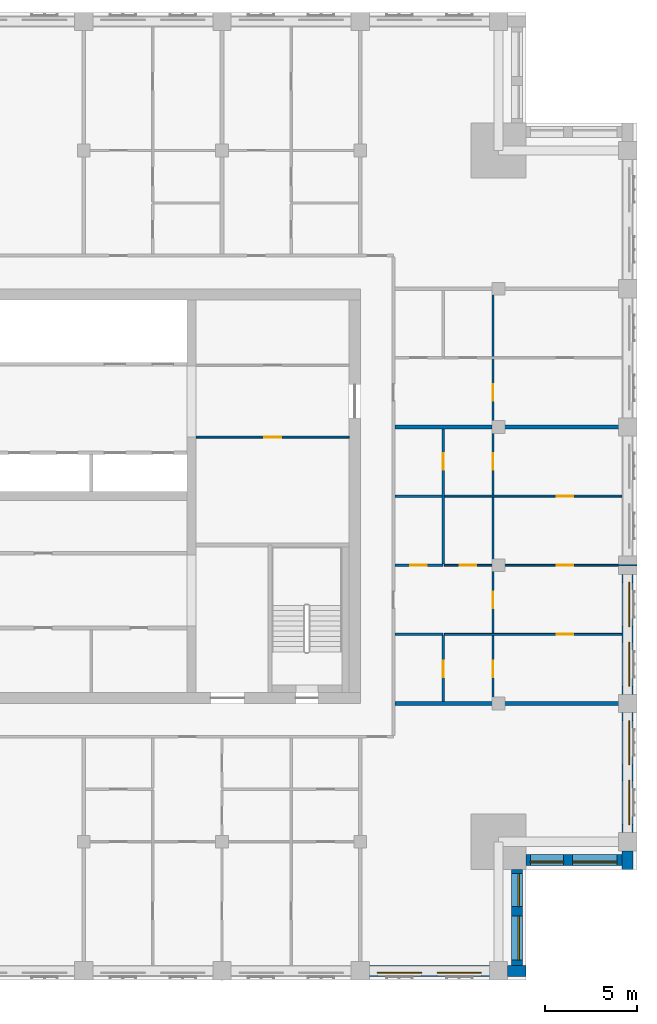
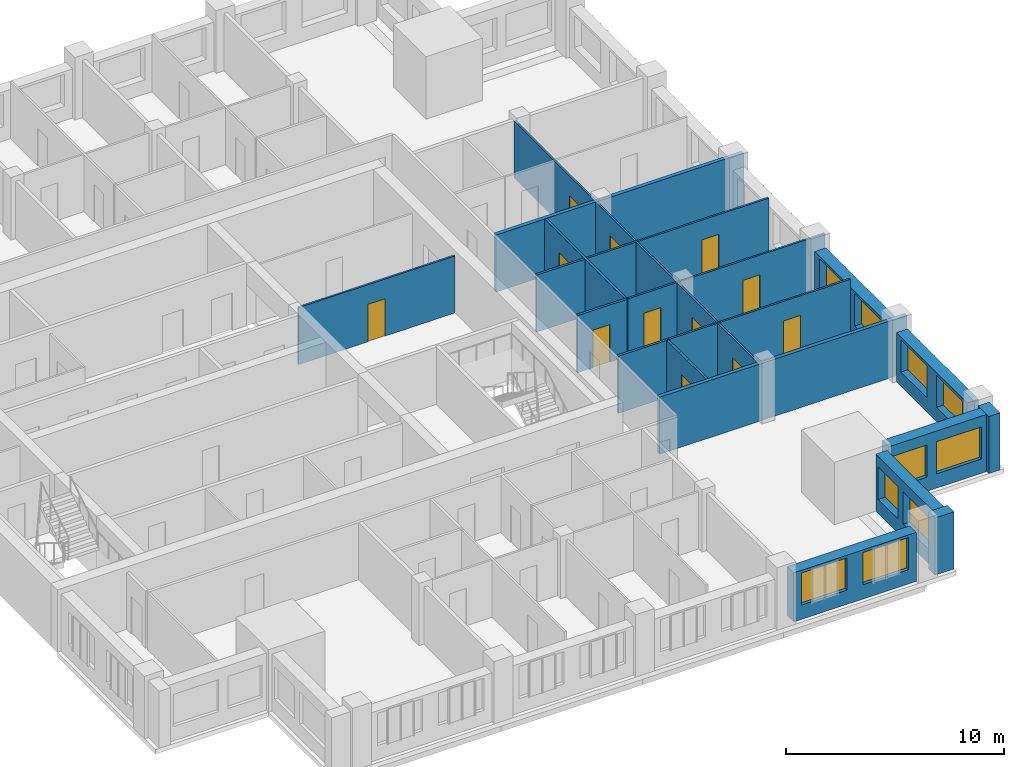
# One storey, part 5 of 10: 19 walls, 12 doors, 10 windows, 22 openings.
"""IFC4 building model written with IfcOpenShell, lengths in metres."""

from ifc_helpers import new_model, si_unit, direction, frame, frame_2d, origin, place, context, subcontext, project, spatial, rectangle, extrude, material, layer, layer_set, type_object, element, fill, save


model = new_model("IFC4")

# Units and contexts
model_context = context("Model", 3, precision=1e-05, world=origin(), true_north=direction((0.0, 1.0)))
body_context = subcontext(model_context, "Body", "Model", "MODEL_VIEW")
ifc_project = project(units=[si_unit("LENGTHUNIT", "METRE"), si_unit("AREAUNIT", "SQUARE_METRE"), si_unit("VOLUMEUNIT", "CUBIC_METRE"), si_unit("PLANEANGLEUNIT", "RADIAN"), si_unit("MASSUNIT", "GRAM", prefix="KILO")], contexts=[model_context])

# Site, building, storey
site_placement = place(None, origin())
site = spatial("IfcSite", under=ifc_project, at=site_placement, CompositionType="ELEMENT")
building_placement = place(site_placement, origin())
building = spatial("IfcBuilding", under=site, at=building_placement, Name="Tamorin Gate", CompositionType="ELEMENT")
storey_placement = place(building_placement, frame((0.0, 0.0, 283.699951171875)))
storey = spatial("IfcBuildingStorey", under=building, at=storey_placement, Name="L71", CompositionType="ELEMENT", Elevation=283.699951171875)

# Wall, openings, windows
ifc_material_1 = material(Name="Precast concrete C40/50", Category="concrete")
ifc_layer_1 = layer(ifc_material_1, 0.60009765625)
ifc_layer_set_1 = layer_set([ifc_layer_1], Name="Precast concrete C40/50")
wall_type_1 = type_object("IfcWallType", Name="Board-marked concrete facade panel 600", PredefinedType="SOLIDWALL", material=ifc_layer_set_1)
wall_1_placement = place(storey_placement, frame((60.5, 45.5, 0.0), z_axis=(0.0, 0.0, 1.0), x_axis=(1.0, 0.0, 0.0)))
wall_1 = element("IfcWall", 1, at=wall_1_placement, inside=storey, type_object=wall_type_1, Name="Facade panel", PredefinedType="SOLIDWALL", context=body_context, shape_type="SweptSolid", body=[
    extrude(rectangle(XDim=6.5, YDim=0.60009765625, at=frame_2d((3.25, 0.0))), origin(), (0.0, 0.0, 1.0), 2.75),
])
opening_1_placement = place(wall_1_placement, frame((0.425048828125, 0.0, 0.800048828125)))
opening_1 = element("IfcOpeningElement", 2, at=opening_1_placement, cuts=wall_1, Name="Opening WN1", PredefinedType="OPENING", context=body_context, shape_type="SweptSolid", body=[
    extrude(rectangle(XDim=2.39990234375, YDim=1.800048828125, at=frame_2d((1.199951171875, 0.89990234375))), frame((0.0, 0.31005859375, 0.0), z_axis=(0.0, -1.0, 0.0), x_axis=(1.0, 0.0, 0.0)), (0.0, 0.0, 1.0), 0.6201171875),
])
opening_2_placement = place(wall_1_placement, frame((3.675048828125, 0.0, 0.800048828125)))
opening_2 = element("IfcOpeningElement", 3, at=opening_2_placement, cuts=wall_1, Name="Opening WN1", PredefinedType="OPENING", context=body_context, shape_type="SweptSolid", body=[
    extrude(rectangle(XDim=2.39990234375, YDim=1.800048828125, at=frame_2d((1.199951171875, 0.89990234375))), frame((0.0, 0.31005859375, 0.0), z_axis=(0.0, -1.0, 0.0), x_axis=(1.0, 0.0, 0.0)), (0.0, 0.0, 1.0), 0.6201171875),
])
ifc_material_2 = material(Name="Clear glass in aluminium frame", Category="aluminium")
window_type_1 = type_object("IfcWindowType", Name="Deep-set window 2400x1800", PartitioningType="SINGLE_PANEL", PredefinedType="WINDOW", material=ifc_material_2)
window_1_placement = place(opening_1_placement, origin())
window_1 = element("IfcWindow", 4, at=window_1_placement, inside=storey, type_object=window_type_1, Name="Deep-set window", OverallHeight=1.800048828125, OverallWidth=2.39990234375, PartitioningType="SINGLE_PANEL", PredefinedType="WINDOW", context=body_context, shape_type="SweptSolid", body=[
    extrude(rectangle(XDim=2.39990234375, YDim=1.800048828125, at=frame_2d((1.199951171875, 0.89990234375))), frame((0.0, -0.070068359375, 0.0), z_axis=(0.0, -1.0, 0.0), x_axis=(1.0, 0.0, 0.0)), (0.0, 0.0, 1.0), 0.06005859375),
])
fill(opening_1, window_1)
window_2_placement = place(opening_2_placement, origin())
window_2 = element("IfcWindow", 5, at=window_2_placement, inside=storey, type_object=window_type_1, Name="Deep-set window", OverallHeight=1.800048828125, OverallWidth=2.39990234375, PartitioningType="SINGLE_PANEL", PredefinedType="WINDOW", context=body_context, shape_type="SweptSolid", body=[
    extrude(rectangle(XDim=2.39990234375, YDim=1.800048828125, at=frame_2d((1.199951171875, 0.89990234375))), frame((0.0, -0.070068359375, 0.0), z_axis=(0.0, -1.0, 0.0), x_axis=(1.0, 0.0, 0.0)), (0.0, 0.0, 1.0), 0.06005859375),
])
fill(opening_2, window_2)

# Wall
wall_2_placement = place(storey_placement, frame((68.0, 45.5, 0.0), z_axis=(0.0, 0.0, 1.0), x_axis=(1.0, 0.0, 0.0)))
element("IfcWall", 6, at=wall_2_placement, inside=storey, type_object=wall_type_1, Name="Facade panel", PredefinedType="SOLIDWALL", context=body_context, shape_type="SweptSolid", body=[
    extrude(rectangle(XDim=1.0, YDim=0.60009765625, at=frame_2d((0.5, 0.0))), origin(), (0.0, 0.0, 1.0), 3.199951171875),
])

# Wall, openings, windows
wall_3_placement = place(storey_placement, frame((68.5, 45.800048828125, 0.0), z_axis=(0.0, 0.0, 1.0), x_axis=(0.0, 1.0, 0.0)))
wall_3 = element("IfcWall", 7, at=wall_3_placement, inside=storey, type_object=wall_type_1, Name="Facade panel", PredefinedType="SOLIDWALL", context=body_context, shape_type="SweptSolid", body=[
    extrude(rectangle(XDim=5.199951171875, YDim=0.60009765625, at=frame_2d((2.60009765625, 0.0))), origin(), (0.0, 0.0, 1.0), 3.199951171875),
])
opening_3_placement = place(wall_3_placement, frame((0.27490234375, 0.0, 0.800048828125)))
opening_3 = element("IfcOpeningElement", 8, at=opening_3_placement, cuts=wall_3, Name="Opening WN1", PredefinedType="OPENING", context=body_context, shape_type="SweptSolid", body=[
    extrude(rectangle(XDim=2.39990234375, YDim=1.800048828125, at=frame_2d((1.199951171875, 0.89990234375))), frame((0.0, 0.31005859375, 0.0), z_axis=(0.0, -1.0, 0.0), x_axis=(1.0, 0.0, 0.0)), (0.0, 0.0, 1.0), 0.6201171875),
])
opening_4_placement = place(wall_3_placement, frame((3.175048828125, 0.0, 0.800048828125)))
opening_4 = element("IfcOpeningElement", 9, at=opening_4_placement, cuts=wall_3, Name="Opening WN2", PredefinedType="OPENING", context=body_context, shape_type="SweptSolid", body=[
    extrude(rectangle(XDim=1.800048828125, YDim=1.800048828125, at=frame_2d((0.89990234375, 0.89990234375))), frame((0.0, 0.31005859375, 0.0), z_axis=(0.0, -1.0, 0.0), x_axis=(1.0, 0.0, 0.0)), (0.0, 0.0, 1.0), 0.6201171875),
])
window_type_2 = type_object("IfcWindowType", Name="Deep-set window 1800x1800", PartitioningType="SINGLE_PANEL", PredefinedType="WINDOW", material=ifc_material_2)
window_3_placement = place(opening_4_placement, origin())
window_3 = element("IfcWindow", 10, at=window_3_placement, inside=storey, type_object=window_type_2, Name="Deep-set window", OverallHeight=1.800048828125, OverallWidth=1.800048828125, PartitioningType="SINGLE_PANEL", PredefinedType="WINDOW", context=body_context, shape_type="SweptSolid", body=[
    extrude(rectangle(XDim=1.800048828125, YDim=1.800048828125, at=frame_2d((0.89990234375, 0.89990234375))), frame((0.0, -0.070068359375, 0.0), z_axis=(0.0, -1.0, 0.0), x_axis=(1.0, 0.0, 0.0)), (0.0, 0.0, 1.0), 0.06005859375),
])
fill(opening_4, window_3)
window_4_placement = place(opening_3_placement, origin())
window_4 = element("IfcWindow", 11, at=window_4_placement, inside=storey, type_object=window_type_1, Name="Deep-set window", OverallHeight=1.800048828125, OverallWidth=2.39990234375, PartitioningType="SINGLE_PANEL", PredefinedType="WINDOW", context=body_context, shape_type="SweptSolid", body=[
    extrude(rectangle(XDim=2.39990234375, YDim=1.800048828125, at=frame_2d((1.199951171875, 0.89990234375))), frame((0.0, -0.070068359375, 0.0), z_axis=(0.0, -1.0, 0.0), x_axis=(1.0, 0.0, 0.0)), (0.0, 0.0, 1.0), 0.06005859375),
])
fill(opening_3, window_4)

wall_4_placement = place(storey_placement, frame((69.0, 51.5, 0.0), z_axis=(0.0, 0.0, 1.0), x_axis=(1.0, 0.0, 0.0)))
wall_4 = element("IfcWall", 12, at=wall_4_placement, inside=storey, type_object=wall_type_1, Name="Facade panel", PredefinedType="SOLIDWALL", context=body_context, shape_type="SweptSolid", body=[
    extrude(rectangle(XDim=5.199951171875, YDim=0.60009765625, at=frame_2d((2.60009765625, 0.0))), origin(), (0.0, 0.0, 1.0), 3.199951171875),
])
opening_5_placement = place(wall_4_placement, frame((0.22509765625, 0.0, 0.800048828125)))
opening_5 = element("IfcOpeningElement", 13, at=opening_5_placement, cuts=wall_4, Name="Opening WN2", PredefinedType="OPENING", context=body_context, shape_type="SweptSolid", body=[
    extrude(rectangle(XDim=1.800048828125, YDim=1.800048828125, at=frame_2d((0.89990234375, 0.89990234375))), frame((0.0, 0.31005859375, 0.0), z_axis=(0.0, -1.0, 0.0), x_axis=(1.0, 0.0, 0.0)), (0.0, 0.0, 1.0), 0.6201171875),
])
opening_6_placement = place(wall_4_placement, frame((2.52490234375, 0.0, 0.800048828125)))
opening_6 = element("IfcOpeningElement", 14, at=opening_6_placement, cuts=wall_4, Name="Opening WN1", PredefinedType="OPENING", context=body_context, shape_type="SweptSolid", body=[
    extrude(rectangle(XDim=2.39990234375, YDim=1.800048828125, at=frame_2d((1.199951171875, 0.89990234375))), frame((0.0, 0.31005859375, 0.0), z_axis=(0.0, -1.0, 0.0), x_axis=(1.0, 0.0, 0.0)), (0.0, 0.0, 1.0), 0.6201171875),
])
window_5_placement = place(opening_5_placement, origin())
window_5 = element("IfcWindow", 15, at=window_5_placement, inside=storey, type_object=window_type_2, Name="Deep-set window", OverallHeight=1.800048828125, OverallWidth=1.800048828125, PartitioningType="SINGLE_PANEL", PredefinedType="WINDOW", context=body_context, shape_type="SweptSolid", body=[
    extrude(rectangle(XDim=1.800048828125, YDim=1.800048828125, at=frame_2d((0.89990234375, 0.89990234375))), frame((0.0, -0.070068359375, 0.0), z_axis=(0.0, -1.0, 0.0), x_axis=(1.0, 0.0, 0.0)), (0.0, 0.0, 1.0), 0.06005859375),
])
fill(opening_5, window_5)
window_6_placement = place(opening_6_placement, origin())
window_6 = element("IfcWindow", 16, at=window_6_placement, inside=storey, type_object=window_type_1, Name="Deep-set window", OverallHeight=1.800048828125, OverallWidth=2.39990234375, PartitioningType="SINGLE_PANEL", PredefinedType="WINDOW", context=body_context, shape_type="SweptSolid", body=[
    extrude(rectangle(XDim=2.39990234375, YDim=1.800048828125, at=frame_2d((1.199951171875, 0.89990234375))), frame((0.0, -0.070068359375, 0.0), z_axis=(0.0, -1.0, 0.0), x_axis=(1.0, 0.0, 0.0)), (0.0, 0.0, 1.0), 0.06005859375),
])
fill(opening_6, window_6)

# Wall
wall_5_placement = place(storey_placement, frame((74.5, 51.0, 0.0), z_axis=(0.0, 0.0, 1.0), x_axis=(0.0, 1.0, 0.0)))
element("IfcWall", 17, at=wall_5_placement, inside=storey, type_object=wall_type_1, Name="Facade panel", PredefinedType="SOLIDWALL", context=body_context, shape_type="SweptSolid", body=[
    extrude(rectangle(XDim=1.0, YDim=0.60009765625, at=frame_2d((0.5, 0.0))), origin(), (0.0, 0.0, 1.0), 3.199951171875),
])

# Wall, openings, windows
wall_6_placement = place(storey_placement, frame((74.5, 53.0, 0.0), z_axis=(0.0, 0.0, 1.0), x_axis=(0.0, 1.0, 0.0)))
wall_6 = element("IfcWall", 18, at=wall_6_placement, inside=storey, type_object=wall_type_1, Name="Facade panel", PredefinedType="SOLIDWALL", context=body_context, shape_type="SweptSolid", body=[
    extrude(rectangle(XDim=6.5, YDim=0.60009765625, at=frame_2d((3.25, 0.0))), origin(), (0.0, 0.0, 1.0), 2.75),
])
opening_7_placement = place(wall_6_placement, frame((0.425048828125, 0.0, 0.800048828125)))
opening_7 = element("IfcOpeningElement", 19, at=opening_7_placement, cuts=wall_6, Name="Opening WN1", PredefinedType="OPENING", context=body_context, shape_type="SweptSolid", body=[
    extrude(rectangle(XDim=2.39990234375, YDim=1.800048828125, at=frame_2d((1.199951171875, 0.89990234375))), frame((0.0, 0.31005859375, 0.0), z_axis=(0.0, -1.0, 0.0), x_axis=(1.0, 0.0, 0.0)), (0.0, 0.0, 1.0), 0.6201171875),
])
opening_8_placement = place(wall_6_placement, frame((3.675048828125, 0.0, 0.800048828125)))
opening_8 = element("IfcOpeningElement", 20, at=opening_8_placement, cuts=wall_6, Name="Opening WN1", PredefinedType="OPENING", context=body_context, shape_type="SweptSolid", body=[
    extrude(rectangle(XDim=2.39990234375, YDim=1.800048828125, at=frame_2d((1.199951171875, 0.89990234375))), frame((0.0, 0.31005859375, 0.0), z_axis=(0.0, -1.0, 0.0), x_axis=(1.0, 0.0, 0.0)), (0.0, 0.0, 1.0), 0.6201171875),
])
window_7_placement = place(opening_7_placement, origin())
window_7 = element("IfcWindow", 21, at=window_7_placement, inside=storey, type_object=window_type_1, Name="Deep-set window", OverallHeight=1.800048828125, OverallWidth=2.39990234375, PartitioningType="SINGLE_PANEL", PredefinedType="WINDOW", context=body_context, shape_type="SweptSolid", body=[
    extrude(rectangle(XDim=2.39990234375, YDim=1.800048828125, at=frame_2d((1.199951171875, 0.89990234375))), frame((0.0, -0.070068359375, 0.0), z_axis=(0.0, -1.0, 0.0), x_axis=(1.0, 0.0, 0.0)), (0.0, 0.0, 1.0), 0.06005859375),
])
fill(opening_7, window_7)
window_8_placement = place(opening_8_placement, origin())
window_8 = element("IfcWindow", 22, at=window_8_placement, inside=storey, type_object=window_type_1, Name="Deep-set window", OverallHeight=1.800048828125, OverallWidth=2.39990234375, PartitioningType="SINGLE_PANEL", PredefinedType="WINDOW", context=body_context, shape_type="SweptSolid", body=[
    extrude(rectangle(XDim=2.39990234375, YDim=1.800048828125, at=frame_2d((1.199951171875, 0.89990234375))), frame((0.0, -0.070068359375, 0.0), z_axis=(0.0, -1.0, 0.0), x_axis=(1.0, 0.0, 0.0)), (0.0, 0.0, 1.0), 0.06005859375),
])
fill(opening_8, window_8)

wall_7_placement = place(storey_placement, frame((74.5, 60.5, 0.0), z_axis=(0.0, 0.0, 1.0), x_axis=(0.0, 1.0, 0.0)))
wall_7 = element("IfcWall", 23, at=wall_7_placement, inside=storey, type_object=wall_type_1, Name="Facade panel", PredefinedType="SOLIDWALL", context=body_context, shape_type="SweptSolid", body=[
    extrude(rectangle(XDim=6.5, YDim=0.60009765625, at=frame_2d((3.25, 0.0))), origin(), (0.0, 0.0, 1.0), 2.75),
])
opening_9_placement = place(wall_7_placement, frame((0.425048828125, 0.0, 0.800048828125)))
opening_9 = element("IfcOpeningElement", 24, at=opening_9_placement, cuts=wall_7, Name="Opening WN1", PredefinedType="OPENING", context=body_context, shape_type="SweptSolid", body=[
    extrude(rectangle(XDim=2.39990234375, YDim=1.800048828125, at=frame_2d((1.199951171875, 0.89990234375))), frame((0.0, 0.31005859375, 0.0), z_axis=(0.0, -1.0, 0.0), x_axis=(1.0, 0.0, 0.0)), (0.0, 0.0, 1.0), 0.6201171875),
])
opening_10_placement = place(wall_7_placement, frame((3.675048828125, 0.0, 0.800048828125)))
opening_10 = element("IfcOpeningElement", 25, at=opening_10_placement, cuts=wall_7, Name="Opening WN1", PredefinedType="OPENING", context=body_context, shape_type="SweptSolid", body=[
    extrude(rectangle(XDim=2.39990234375, YDim=1.800048828125, at=frame_2d((1.199951171875, 0.89990234375))), frame((0.0, 0.31005859375, 0.0), z_axis=(0.0, -1.0, 0.0), x_axis=(1.0, 0.0, 0.0)), (0.0, 0.0, 1.0), 0.6201171875),
])
window_9_placement = place(opening_9_placement, origin())
window_9 = element("IfcWindow", 26, at=window_9_placement, inside=storey, type_object=window_type_1, Name="Deep-set window", OverallHeight=1.800048828125, OverallWidth=2.39990234375, PartitioningType="SINGLE_PANEL", PredefinedType="WINDOW", context=body_context, shape_type="SweptSolid", body=[
    extrude(rectangle(XDim=2.39990234375, YDim=1.800048828125, at=frame_2d((1.199951171875, 0.89990234375))), frame((0.0, -0.070068359375, 0.0), z_axis=(0.0, -1.0, 0.0), x_axis=(1.0, 0.0, 0.0)), (0.0, 0.0, 1.0), 0.06005859375),
])
fill(opening_9, window_9)
window_10_placement = place(opening_10_placement, origin())
window_10 = element("IfcWindow", 27, at=window_10_placement, inside=storey, type_object=window_type_1, Name="Deep-set window", OverallHeight=1.800048828125, OverallWidth=2.39990234375, PartitioningType="SINGLE_PANEL", PredefinedType="WINDOW", context=body_context, shape_type="SweptSolid", body=[
    extrude(rectangle(XDim=2.39990234375, YDim=1.800048828125, at=frame_2d((1.199951171875, 0.89990234375))), frame((0.0, -0.070068359375, 0.0), z_axis=(0.0, -1.0, 0.0), x_axis=(1.0, 0.0, 0.0)), (0.0, 0.0, 1.0), 0.06005859375),
])
fill(opening_10, window_10)

# Walls
ifc_material_3 = material(Name="Gypsum board partition")
ifc_layer_2 = layer(ifc_material_3, 0.199951171875)
ifc_layer_set_2 = layer_set([ifc_layer_2], Name="Demising wall 200")
wall_type_2 = type_object("IfcWallType", Name="Demising wall 200", PredefinedType="PARTITIONING", material=ifc_layer_set_2)
for number, where, z_axis, x_axis, name in (
    (28, (61.875, 60.0, 0.0), (0.0, 0.0, 1.0), (1.0, 0.0, 0.0), "Demising wall 200"),
    (29, (61.875, 75.0, 0.0), (0.0, 0.0, 1.0), (1.0, 0.0, 0.0), "Demising wall 200"),
):
    element("IfcWall", number, at=place(storey_placement, frame(where, z_axis=z_axis, x_axis=x_axis)), inside=storey, type_object=wall_type_2, Name=name, PredefinedType="PARTITIONING", context=body_context, shape_type="SweptSolid", body=[
        extrude(rectangle(XDim=13.125, YDim=0.199951171875, at=frame_2d((6.5625, 0.0))), origin(), (0.0, 0.0, 1.0), 3.199951171875),
    ])

# Wall, opening, door
ifc_layer_3 = layer(ifc_material_3, 0.10009765625)
ifc_layer_set_3 = layer_set([ifc_layer_3], Name="Room partition 100")
wall_type_3 = type_object("IfcWallType", Name="Room partition 100", PredefinedType="PARTITIONING", material=ifc_layer_set_3)
wall_8_placement = place(storey_placement, frame((64.5625, 63.75, 0.0), z_axis=(0.0, 0.0, 1.0), x_axis=(1.0, 0.0, 0.0)))
wall_8 = element("IfcWall", 30, at=wall_8_placement, inside=storey, type_object=wall_type_3, Name="Room partition 100", PredefinedType="PARTITIONING", context=body_context, shape_type="SweptSolid", body=[
    extrude(rectangle(XDim=9.62744140625, YDim=0.10009765625, at=frame_2d((4.813720703125, 0.0))), origin(), (0.0, 0.0, 1.0), 3.199951171875),
])
opening_11_placement = place(wall_8_placement, frame((6.08740234375, 0.0, 0.0)))
opening_11 = element("IfcOpeningElement", 31, at=opening_11_placement, cuts=wall_8, Name="Opening DR10036", PredefinedType="OPENING", context=body_context, shape_type="SweptSolid", body=[
    extrude(rectangle(XDim=0.89990234375, YDim=2.10009765625, at=frame_2d((0.449951171875, 1.050048828125))), frame((0.0, 0.06005859375, 0.0), z_axis=(0.0, -1.0, 0.0), x_axis=(1.0, 0.0, 0.0)), (0.0, 0.0, 1.0), 0.1201171875),
])
ifc_material_4 = material(Name="Timber door leaf", Category="wood")
door_type_1 = type_object("IfcDoorType", Name="Door 900 x 2100", OperationType="NOTDEFINED", PredefinedType="DOOR", material=ifc_material_4)
door_1_placement = place(opening_11_placement, origin())
door_1 = element("IfcDoor", 32, at=door_1_placement, inside=storey, type_object=door_type_1, Name="Door DR10036", OperationType="SINGLE_SWING_RIGHT", OverallHeight=2.10009765625, OverallWidth=0.89990234375, PredefinedType="DOOR", context=body_context, shape_type="SweptSolid", body=[
    extrude(rectangle(XDim=0.89990234375, YDim=2.10009765625, at=frame_2d((0.449951171875, 1.050048828125))), frame((0.0, 0.02490234375, 0.0), z_axis=(0.0, -1.0, 0.0), x_axis=(1.0, 0.0, 0.0)), (0.0, 0.0, 1.0), 0.050048828125),
])
fill(opening_11, door_1)

# Wall, openings, doors
wall_9_placement = place(storey_placement, frame((64.5625, 67.5, 0.0), z_axis=(0.0, 0.0, 1.0), x_axis=(1.0, 0.0, 0.0)))
wall_9 = element("IfcWall", 33, at=wall_9_placement, inside=storey, type_object=wall_type_3, Name="Room partition 100", PredefinedType="PARTITIONING", context=body_context, shape_type="SweptSolid", body=[
    extrude(rectangle(XDim=10.4375, YDim=0.10009765625, at=frame_2d((5.21875, 0.0))), origin(), (0.0, 0.0, 1.0), 3.199951171875),
])
opening_12_placement = place(wall_9_placement, frame((0.83740234375, 0.0, 0.0)))
opening_12 = element("IfcOpeningElement", 34, at=opening_12_placement, cuts=wall_9, Name="Opening DR10032", PredefinedType="OPENING", context=body_context, shape_type="SweptSolid", body=[
    extrude(rectangle(XDim=0.89990234375, YDim=2.10009765625, at=frame_2d((0.449951171875, 1.050048828125))), frame((0.0, 0.06005859375, 0.0), z_axis=(0.0, -1.0, 0.0), x_axis=(1.0, 0.0, 0.0)), (0.0, 0.0, 1.0), 0.1201171875),
])
opening_13_placement = place(wall_9_placement, frame((6.08740234375, 0.0, 0.0)))
opening_13 = element("IfcOpeningElement", 35, at=opening_13_placement, cuts=wall_9, Name="Opening DR10037", PredefinedType="OPENING", context=body_context, shape_type="SweptSolid", body=[
    extrude(rectangle(XDim=0.89990234375, YDim=2.10009765625, at=frame_2d((0.449951171875, 1.050048828125))), frame((0.0, 0.06005859375, 0.0), z_axis=(0.0, -1.0, 0.0), x_axis=(1.0, 0.0, 0.0)), (0.0, 0.0, 1.0), 0.1201171875),
])
door_2_placement = place(opening_12_placement, origin())
door_2 = element("IfcDoor", 36, at=door_2_placement, inside=storey, type_object=door_type_1, Name="Door DR10032", OperationType="SINGLE_SWING_LEFT", OverallHeight=2.10009765625, OverallWidth=0.89990234375, PredefinedType="DOOR", context=body_context, shape_type="SweptSolid", body=[
    extrude(rectangle(XDim=0.89990234375, YDim=2.10009765625, at=frame_2d((0.449951171875, 1.050048828125))), frame((0.0, 0.02490234375, 0.0), z_axis=(0.0, -1.0, 0.0), x_axis=(1.0, 0.0, 0.0)), (0.0, 0.0, 1.0), 0.050048828125),
])
fill(opening_12, door_2)
door_3_placement = place(opening_13_placement, origin())
door_3 = element("IfcDoor", 37, at=door_3_placement, inside=storey, type_object=door_type_1, Name="Door DR10037", OperationType="SINGLE_SWING_RIGHT", OverallHeight=2.10009765625, OverallWidth=0.89990234375, PredefinedType="DOOR", context=body_context, shape_type="SweptSolid", body=[
    extrude(rectangle(XDim=0.89990234375, YDim=2.10009765625, at=frame_2d((0.449951171875, 1.050048828125))), frame((0.0, 0.02490234375, 0.0), z_axis=(0.0, -1.0, 0.0), x_axis=(1.0, 0.0, 0.0)), (0.0, 0.0, 1.0), 0.050048828125),
])
fill(opening_13, door_3)

# Wall, opening, door
wall_10_placement = place(storey_placement, frame((64.5625, 71.25, 0.0), z_axis=(0.0, 0.0, 1.0), x_axis=(1.0, 0.0, 0.0)))
wall_10 = element("IfcWall", 38, at=wall_10_placement, inside=storey, type_object=wall_type_3, Name="Room partition 100", PredefinedType="PARTITIONING", context=body_context, shape_type="SweptSolid", body=[
    extrude(rectangle(XDim=9.62744140625, YDim=0.10009765625, at=frame_2d((4.813720703125, 0.0))), origin(), (0.0, 0.0, 1.0), 3.199951171875),
])
opening_14_placement = place(wall_10_placement, frame((6.08740234375, 0.0, 0.0)))
opening_14 = element("IfcOpeningElement", 39, at=opening_14_placement, cuts=wall_10, Name="Opening DR10038", PredefinedType="OPENING", context=body_context, shape_type="SweptSolid", body=[
    extrude(rectangle(XDim=0.89990234375, YDim=2.10009765625, at=frame_2d((0.449951171875, 1.050048828125))), frame((0.0, 0.06005859375, 0.0), z_axis=(0.0, -1.0, 0.0), x_axis=(1.0, 0.0, 0.0)), (0.0, 0.0, 1.0), 0.1201171875),
])
door_4_placement = place(opening_14_placement, origin())
door_4 = element("IfcDoor", 40, at=door_4_placement, inside=storey, type_object=door_type_1, Name="Door DR10038", OperationType="SINGLE_SWING_RIGHT", OverallHeight=2.10009765625, OverallWidth=0.89990234375, PredefinedType="DOOR", context=body_context, shape_type="SweptSolid", body=[
    extrude(rectangle(XDim=0.89990234375, YDim=2.10009765625, at=frame_2d((0.449951171875, 1.050048828125))), frame((0.0, 0.02490234375, 0.0), z_axis=(0.0, -1.0, 0.0), x_axis=(1.0, 0.0, 0.0)), (0.0, 0.0, 1.0), 0.050048828125),
])
fill(opening_14, door_4)

# Wall, openings, doors
wall_11_placement = place(storey_placement, frame((67.199951171875, 60.10009765625, 0.0), z_axis=(0.0, 0.0, 1.0), x_axis=(0.0, 1.0, 0.0)))
wall_11 = element("IfcWall", 41, at=wall_11_placement, inside=storey, type_object=wall_type_3, Name="Room partition 100", PredefinedType="PARTITIONING", context=body_context, shape_type="SweptSolid", body=[
    extrude(rectangle(XDim=22.2998046875, YDim=0.10009765625, at=frame_2d((11.14990234375, 0.0))), origin(), (0.0, 0.0, 1.0), 3.199951171875),
])
opening_15_placement = place(wall_11_placement, frame((1.324951171875, 0.0, 0.0)))
opening_15 = element("IfcOpeningElement", 42, at=opening_15_placement, cuts=wall_11, Name="Opening DR10028", PredefinedType="OPENING", context=body_context, shape_type="SweptSolid", body=[
    extrude(rectangle(XDim=0.89990234375, YDim=2.10009765625, at=frame_2d((0.449951171875, 1.050048828125))), frame((0.0, 0.06005859375, 0.0), z_axis=(0.0, -1.0, 0.0), x_axis=(1.0, 0.0, 0.0)), (0.0, 0.0, 1.0), 0.1201171875),
])
opening_16_placement = place(wall_11_placement, frame((5.074951171875, 0.0, 0.0)))
opening_16 = element("IfcOpeningElement", 43, at=opening_16_placement, cuts=wall_11, Name="Opening DR10031", PredefinedType="OPENING", context=body_context, shape_type="SweptSolid", body=[
    extrude(rectangle(XDim=0.89990234375, YDim=2.10009765625, at=frame_2d((0.449951171875, 1.050048828125))), frame((0.0, 0.06005859375, 0.0), z_axis=(0.0, -1.0, 0.0), x_axis=(1.0, 0.0, 0.0)), (0.0, 0.0, 1.0), 0.1201171875),
])
opening_17_placement = place(wall_11_placement, frame((12.574951171875, 0.0, 0.0)))
opening_17 = element("IfcOpeningElement", 44, at=opening_17_placement, cuts=wall_11, Name="Opening DR10034", PredefinedType="OPENING", context=body_context, shape_type="SweptSolid", body=[
    extrude(rectangle(XDim=0.89990234375, YDim=2.10009765625, at=frame_2d((0.449951171875, 1.050048828125))), frame((0.0, 0.06005859375, 0.0), z_axis=(0.0, -1.0, 0.0), x_axis=(1.0, 0.0, 0.0)), (0.0, 0.0, 1.0), 0.1201171875),
])
opening_18_placement = place(wall_11_placement, frame((16.324951171875, 0.0, 0.0)))
opening_18 = element("IfcOpeningElement", 45, at=opening_18_placement, cuts=wall_11, Name="Opening DR10040", PredefinedType="OPENING", context=body_context, shape_type="SweptSolid", body=[
    extrude(rectangle(XDim=0.89990234375, YDim=2.10009765625, at=frame_2d((0.449951171875, 1.050048828125))), frame((0.0, 0.06005859375, 0.0), z_axis=(0.0, -1.0, 0.0), x_axis=(1.0, 0.0, 0.0)), (0.0, 0.0, 1.0), 0.1201171875),
])
door_5_placement = place(opening_15_placement, origin())
door_5 = element("IfcDoor", 46, at=door_5_placement, inside=storey, type_object=door_type_1, Name="Door DR10028", OperationType="SINGLE_SWING_LEFT", OverallHeight=2.10009765625, OverallWidth=0.89990234375, PredefinedType="DOOR", context=body_context, shape_type="SweptSolid", body=[
    extrude(rectangle(XDim=0.89990234375, YDim=2.10009765625, at=frame_2d((0.449951171875, 1.050048828125))), frame((0.0, 0.02490234375, 0.0), z_axis=(0.0, -1.0, 0.0), x_axis=(1.0, 0.0, 0.0)), (0.0, 0.0, 1.0), 0.050048828125),
])
fill(opening_15, door_5)
door_6_placement = place(opening_16_placement, origin())
door_6 = element("IfcDoor", 47, at=door_6_placement, inside=storey, type_object=door_type_1, Name="Door DR10031", OperationType="SINGLE_SWING_LEFT", OverallHeight=2.10009765625, OverallWidth=0.89990234375, PredefinedType="DOOR", context=body_context, shape_type="SweptSolid", body=[
    extrude(rectangle(XDim=0.89990234375, YDim=2.10009765625, at=frame_2d((0.449951171875, 1.050048828125))), frame((0.0, 0.02490234375, 0.0), z_axis=(0.0, -1.0, 0.0), x_axis=(1.0, 0.0, 0.0)), (0.0, 0.0, 1.0), 0.050048828125),
])
fill(opening_16, door_6)
door_7_placement = place(opening_17_placement, origin())
door_7 = element("IfcDoor", 48, at=door_7_placement, inside=storey, type_object=door_type_1, Name="Door DR10034", OperationType="SINGLE_SWING_LEFT", OverallHeight=2.10009765625, OverallWidth=0.89990234375, PredefinedType="DOOR", context=body_context, shape_type="SweptSolid", body=[
    extrude(rectangle(XDim=0.89990234375, YDim=2.10009765625, at=frame_2d((0.449951171875, 1.050048828125))), frame((0.0, 0.02490234375, 0.0), z_axis=(0.0, -1.0, 0.0), x_axis=(1.0, 0.0, 0.0)), (0.0, 0.0, 1.0), 0.050048828125),
])
fill(opening_17, door_7)
door_8_placement = place(opening_18_placement, origin())
door_8 = element("IfcDoor", 49, at=door_8_placement, inside=storey, type_object=door_type_1, Name="Door DR10040", OperationType="SINGLE_SWING_LEFT", OverallHeight=2.10009765625, OverallWidth=0.89990234375, PredefinedType="DOOR", context=body_context, shape_type="SweptSolid", body=[
    extrude(rectangle(XDim=0.89990234375, YDim=2.10009765625, at=frame_2d((0.449951171875, 1.050048828125))), frame((0.0, 0.02490234375, 0.0), z_axis=(0.0, -1.0, 0.0), x_axis=(1.0, 0.0, 0.0)), (0.0, 0.0, 1.0), 0.050048828125),
])
fill(opening_18, door_8)

# Wall, opening, door
ifc_layer_4 = layer(ifc_material_3, 0.10009765625)
ifc_layer_set_4 = layer_set([ifc_layer_4], Name="Service room partition 100 EI 60")
wall_type_4 = type_object("IfcWallType", Name="Service room partition 100 EI 60", PredefinedType="PARTITIONING", material=ifc_layer_set_4)
wall_12_placement = place(storey_placement, frame((51.10009765625, 74.449951171875, 0.0), z_axis=(0.0, 0.0, 1.0), x_axis=(1.0, 0.0, 0.0)))
wall_12 = element("IfcWall", 50, at=wall_12_placement, inside=storey, type_object=wall_type_4, Name="Service room wall", PredefinedType="PARTITIONING", context=body_context, shape_type="SweptSolid", body=[
    extrude(rectangle(XDim=8.2998046875, YDim=0.10009765625, at=frame_2d((4.14990234375, 0.0))), origin(), (0.0, 0.0, 1.0), 3.199951171875),
])
opening_19_placement = place(wall_12_placement, frame((3.699951171875, 0.0, 0.0)))
opening_19 = element("IfcOpeningElement", 51, at=opening_19_placement, cuts=wall_12, Name="Opening DR1", PredefinedType="OPENING", context=body_context, shape_type="SweptSolid", body=[
    extrude(rectangle(XDim=0.89990234375, YDim=2.10009765625, at=frame_2d((0.449951171875, 1.050048828125))), frame((0.0, 0.06005859375, 0.0), z_axis=(0.0, -1.0, 0.0), x_axis=(1.0, 0.0, 0.0)), (0.0, 0.0, 1.0), 0.1201171875),
])
ifc_material_5 = material(Name="Steel fire door", Category="steel")
door_type_2 = type_object("IfcDoorType", Name="Riser access door 900 x 2100 EI 120", OperationType="SINGLE_SWING_LEFT", PredefinedType="DOOR", material=ifc_material_5)
door_9_placement = place(opening_19_placement, origin())
door_9 = element("IfcDoor", 52, at=door_9_placement, inside=storey, type_object=door_type_2, Name="Duct riser door", OperationType="SINGLE_SWING_LEFT", OverallHeight=2.10009765625, OverallWidth=0.89990234375, PredefinedType="DOOR", context=body_context, shape_type="SweptSolid", body=[
    extrude(rectangle(XDim=0.89990234375, YDim=2.10009765625, at=frame_2d((0.449951171875, 1.050048828125))), frame((0.0, 0.02490234375, 0.0), z_axis=(0.0, -1.0, 0.0), x_axis=(1.0, 0.0, 0.0)), (0.0, 0.0, 1.0), 0.050048828125),
])
fill(opening_19, door_9)

# Wall
ifc_layer_5 = layer(ifc_material_3, 0.125)
ifc_layer_set_5 = layer_set([ifc_layer_5], Name="Wet wall 125")
wall_type_5 = type_object("IfcWallType", Name="Wet wall 125", PredefinedType="PARTITIONING", material=ifc_layer_set_5)
wall_13_placement = place(storey_placement, frame((61.875, 63.75, 0.0), z_axis=(0.0, 0.0, 1.0), x_axis=(1.0, 0.0, 0.0)))
element("IfcWall", 53, at=wall_13_placement, inside=storey, type_object=wall_type_5, Name="Wet wall 125", PredefinedType="PARTITIONING", context=body_context, shape_type="SweptSolid", body=[
    extrude(rectangle(XDim=2.625, YDim=0.125, at=frame_2d((1.3125, 0.0))), origin(), (0.0, 0.0, 1.0), 3.199951171875),
])

# Wall, opening, door
wall_14_placement = place(storey_placement, frame((61.875, 67.5, 0.0), z_axis=(0.0, 0.0, 1.0), x_axis=(1.0, 0.0, 0.0)))
wall_14 = element("IfcWall", 54, at=wall_14_placement, inside=storey, type_object=wall_type_5, Name="Wet wall 125", PredefinedType="PARTITIONING", context=body_context, shape_type="SweptSolid", body=[
    extrude(rectangle(XDim=2.625, YDim=0.125, at=frame_2d((1.3125, 0.0))), origin(), (0.0, 0.0, 1.0), 3.199951171875),
])
opening_20_placement = place(wall_14_placement, frame((0.824951171875, 0.0, 0.0)))
opening_20 = element("IfcOpeningElement", 55, at=opening_20_placement, cuts=wall_14, Name="Opening DR10033", PredefinedType="OPENING", context=body_context, shape_type="SweptSolid", body=[
    extrude(rectangle(XDim=0.89990234375, YDim=2.10009765625, at=frame_2d((0.449951171875, 1.050048828125))), frame((0.0, 0.072509765625, 0.0), z_axis=(0.0, -1.0, 0.0), x_axis=(1.0, 0.0, 0.0)), (0.0, 0.0, 1.0), 0.14501953125),
])
door_10_placement = place(opening_20_placement, origin())
door_10 = element("IfcDoor", 56, at=door_10_placement, inside=storey, type_object=door_type_1, Name="Door DR10033", OperationType="SINGLE_SWING_LEFT", OverallHeight=2.10009765625, OverallWidth=0.89990234375, PredefinedType="DOOR", context=body_context, shape_type="SweptSolid", body=[
    extrude(rectangle(XDim=0.89990234375, YDim=2.10009765625, at=frame_2d((0.449951171875, 1.050048828125))), frame((0.0, 0.02490234375, 0.0), z_axis=(0.0, -1.0, 0.0), x_axis=(1.0, 0.0, 0.0)), (0.0, 0.0, 1.0), 0.050048828125),
])
fill(opening_20, door_10)

# Wall
wall_15_placement = place(storey_placement, frame((61.875, 71.25, 0.0), z_axis=(0.0, 0.0, 1.0), x_axis=(1.0, 0.0, 0.0)))
element("IfcWall", 57, at=wall_15_placement, inside=storey, type_object=wall_type_5, Name="Wet wall 125", PredefinedType="PARTITIONING", context=body_context, shape_type="SweptSolid", body=[
    extrude(rectangle(XDim=2.5625, YDim=0.125, at=frame_2d((1.28125, 0.0))), origin(), (0.0, 0.0, 1.0), 3.199951171875),
])

# Wall, opening, door
wall_16_placement = place(storey_placement, frame((64.5, 60.10009765625, 0.0), z_axis=(0.0, 0.0, 1.0), x_axis=(0.0, 1.0, 0.0)))
wall_16 = element("IfcWall", 58, at=wall_16_placement, inside=storey, type_object=wall_type_5, Name="Wet wall 125", PredefinedType="PARTITIONING", context=body_context, shape_type="SweptSolid", body=[
    extrude(rectangle(XDim=3.58740234375, YDim=0.125, at=frame_2d((1.793701171875, 0.0))), origin(), (0.0, 0.0, 1.0), 3.199951171875),
])
opening_21_placement = place(wall_16_placement, frame((1.324951171875, 0.0, 0.0)))
opening_21 = element("IfcOpeningElement", 59, at=opening_21_placement, cuts=wall_16, Name="Opening DR10029", PredefinedType="OPENING", context=body_context, shape_type="SweptSolid", body=[
    extrude(rectangle(XDim=0.89990234375, YDim=2.10009765625, at=frame_2d((0.449951171875, 1.050048828125))), frame((0.0, 0.072509765625, 0.0), z_axis=(0.0, -1.0, 0.0), x_axis=(1.0, 0.0, 0.0)), (0.0, 0.0, 1.0), 0.14501953125),
])
door_11_placement = place(opening_21_placement, origin())
door_11 = element("IfcDoor", 60, at=door_11_placement, inside=storey, type_object=door_type_1, Name="Door DR10029", OperationType="SINGLE_SWING_LEFT", OverallHeight=2.10009765625, OverallWidth=0.89990234375, PredefinedType="DOOR", context=body_context, shape_type="SweptSolid", body=[
    extrude(rectangle(XDim=0.89990234375, YDim=2.10009765625, at=frame_2d((0.449951171875, 1.050048828125))), frame((0.0, 0.02490234375, 0.0), z_axis=(0.0, -1.0, 0.0), x_axis=(1.0, 0.0, 0.0)), (0.0, 0.0, 1.0), 0.050048828125),
])
fill(opening_21, door_11)

wall_17_placement = place(storey_placement, frame((64.5, 67.5625, 0.0), z_axis=(0.0, 0.0, 1.0), x_axis=(0.0, 1.0, 0.0)))
wall_17 = element("IfcWall", 61, at=wall_17_placement, inside=storey, type_object=wall_type_5, Name="Wet wall 125", PredefinedType="PARTITIONING", context=body_context, shape_type="SweptSolid", body=[
    extrude(rectangle(XDim=7.33740234375, YDim=0.125, at=frame_2d((3.668701171875, 0.0))), origin(), (0.0, 0.0, 1.0), 3.199951171875),
])
opening_22_placement = place(wall_17_placement, frame((5.112548828125, 0.0, 0.0)))
opening_22 = element("IfcOpeningElement", 62, at=opening_22_placement, cuts=wall_17, Name="Opening DR10035", PredefinedType="OPENING", context=body_context, shape_type="SweptSolid", body=[
    extrude(rectangle(XDim=0.89990234375, YDim=2.10009765625, at=frame_2d((0.449951171875, 1.050048828125))), frame((0.0, 0.072509765625, 0.0), z_axis=(0.0, -1.0, 0.0), x_axis=(1.0, 0.0, 0.0)), (0.0, 0.0, 1.0), 0.14501953125),
])
door_12_placement = place(opening_22_placement, origin())
door_12 = element("IfcDoor", 63, at=door_12_placement, inside=storey, type_object=door_type_1, Name="Door DR10035", OperationType="SINGLE_SWING_LEFT", OverallHeight=2.10009765625, OverallWidth=0.89990234375, PredefinedType="DOOR", context=body_context, shape_type="SweptSolid", body=[
    extrude(rectangle(XDim=0.89990234375, YDim=2.10009765625, at=frame_2d((0.449951171875, 1.050048828125))), frame((0.0, 0.02490234375, 0.0), z_axis=(0.0, -1.0, 0.0), x_axis=(1.0, 0.0, 0.0)), (0.0, 0.0, 1.0), 0.050048828125),
])
fill(opening_22, door_12)

save(model, "model.ifc")
